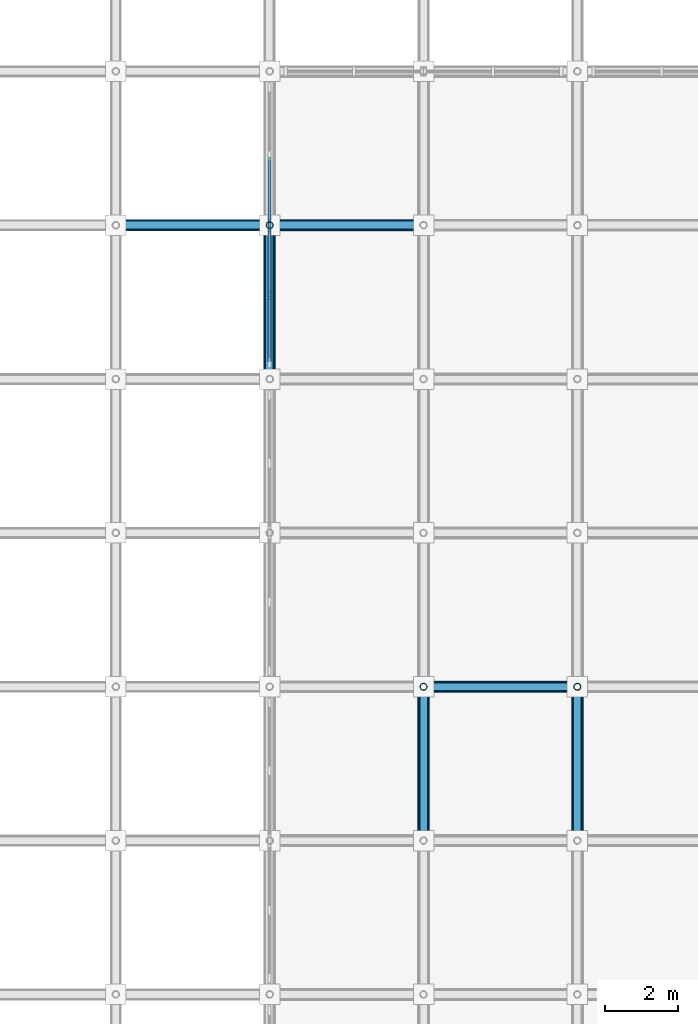
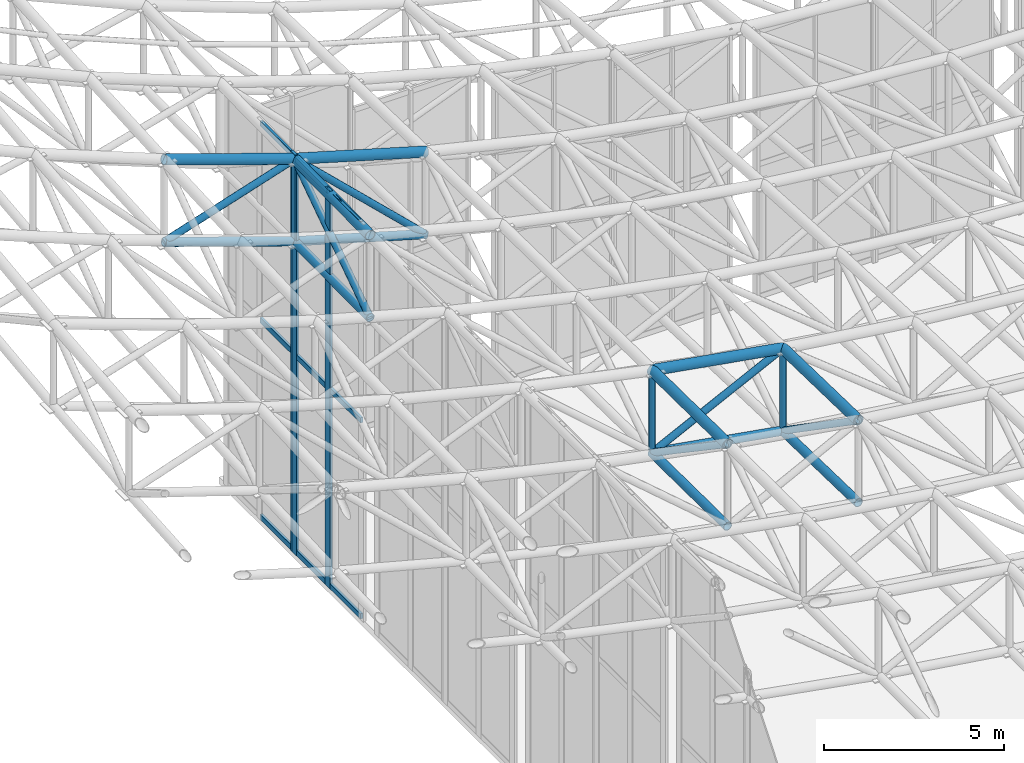
# One storey, part 28 of 93: 33 members, 2 elements without a shape of their own.
"""IFC4 building model written with IfcOpenShell, lengths in metres."""

from ifc_helpers import new_model, si_unit, direction, frame, origin, origin_2d, place, context, subcontext, project, spatial, rectangle, hollow_circle, extrude, material, material_profile, profile_set, type_object, element, aggregate, save


model = new_model("IFC4")

# Units and contexts
model_context = context("Model", 3, precision=1e-05, world=origin(), true_north=direction((0.0, 1.0)))
body_context = subcontext(model_context, "Body", "Model", "MODEL_VIEW")
ifc_project = project(units=[si_unit("LENGTHUNIT", "METRE"), si_unit("AREAUNIT", "SQUARE_METRE"), si_unit("VOLUMEUNIT", "CUBIC_METRE"), si_unit("PLANEANGLEUNIT", "RADIAN"), si_unit("MASSUNIT", "GRAM", prefix="KILO")], contexts=[model_context])

# Site, building, storey
site_placement = place(None, origin())
site = spatial("IfcSite", under=ifc_project, at=site_placement, CompositionType="ELEMENT")
building_placement = place(site_placement, origin())
building = spatial("IfcBuilding", under=site, at=building_placement, Name="Cumbredor Promenade Congress Hotel", CompositionType="ELEMENT")
storey_placement = place(building_placement, frame((0.0, 0.0, 21.840087890625)))
storey = spatial("IfcBuildingStorey", under=building, at=storey_placement, Name="L06", CompositionType="ELEMENT", Elevation=21.840087890625)

# Curtain wall, members
ifc_material_1 = material(Name="Thermally broken anodized aluminium and low-E glass", Category="aluminium")
curtain_wall_type = type_object("IfcCurtainWallType", Name="Stepped Pavilion Clerestory Curtain Wall CW-06", PredefinedType="NOTDEFINED", material=ifc_material_1)
curtain_wall_1_placement = place(storey_placement, origin())
curtain_wall_1 = element("IfcCurtainWall", 1, at=curtain_wall_1_placement, inside=storey, type_object=curtain_wall_type, Name="Plenary Congress Hall W Glazed Clerestory 13", PredefinedType="NOTDEFINED")
ifc_material_2 = material(Name="Thermally broken anodized aluminium", Category="aluminium")
ifc_material_profile_1 = material_profile(ifc_material_2, rectangle(XDim=0.0849609375, YDim=0.260009765625, at=origin_2d()), Name="ALU MULLION CLERESTORY 85x260")
ifc_profile_set_1 = profile_set([ifc_material_profile_1], Name="Thermally broken anodized aluminium")
member_type_1 = type_object("IfcMemberType", Name="Curtain Wall Mullion ML-04", PredefinedType="MULLION", material=ifc_profile_set_1)
member_1_placement = place(storey_placement, frame((8.39990234375, 61.10009765625, -0.01806640625), z_axis=(0.0, 0.0, 1.0), x_axis=(1.0, 0.0, 0.0)))
member_1 = element("IfcMember", 2, at=member_1_placement, type_object=member_type_1, Name="Plenary Congress Hall W Glazed Clerestory 13 Mullion 2", PredefinedType="MULLION", context=body_context, shape_type="SweptSolid", body=[
    extrude(rectangle(XDim=0.0849609375, YDim=0.260009765625, at=origin_2d()), origin(), (0.0, 0.0, 1.0), 13.506103515625),
])
member_2_placement = place(storey_placement, frame((8.39990234375, 62.9599609375, -0.01806640625), z_axis=(0.0, 0.0, 1.0), x_axis=(1.0, 0.0, 0.0)))
member_2 = element("IfcMember", 3, at=member_2_placement, type_object=member_type_1, Name="Plenary Congress Hall W Glazed Clerestory 13 Mullion 3", PredefinedType="MULLION", context=body_context, shape_type="SweptSolid", body=[
    extrude(rectangle(XDim=0.0849609375, YDim=0.260009765625, at=origin_2d()), origin(), (0.0, 0.0, 1.0), 13.506103515625),
])

# Curtain wall, member
curtain_wall_2_placement = place(storey_placement, origin())
curtain_wall_2 = element("IfcCurtainWall", 4, at=curtain_wall_2_placement, inside=storey, type_object=curtain_wall_type, Name="Plenary Congress Hall W Glazed Clerestory 14", PredefinedType="NOTDEFINED")
member_3_placement = place(storey_placement, frame((8.39990234375, 63.0400390625, -0.01806640625), z_axis=(0.0, 0.0, 1.0), x_axis=(1.0, 0.0, 0.0)))
member_3 = element("IfcMember", 5, at=member_3_placement, type_object=member_type_1, Name="Plenary Congress Hall W Glazed Clerestory 14 Mullion 1", PredefinedType="MULLION", context=body_context, shape_type="SweptSolid", body=[
    extrude(rectangle(XDim=0.0849609375, YDim=0.260009765625, at=origin_2d()), origin(), (0.0, 0.0, 1.0), 13.553955078125),
])

# Member
ifc_material_profile_2 = material_profile(ifc_material_2, rectangle(XDim=0.080078125, YDim=0.179931640625, at=origin_2d()), Name="ALU TRANSOM 80x180")
ifc_profile_set_2 = profile_set([ifc_material_profile_2], Name="Thermally broken anodized aluminium")
member_type_2 = type_object("IfcMemberType", Name="Curtain Wall Transom TR-03", PredefinedType="USERDEFINED", material=ifc_profile_set_2)
member_4_placement = place(storey_placement, frame((8.39990234375, 59.282470703125, 0.079833984375), z_axis=(0.0, 1.0, 0.0), x_axis=(-1.0, 0.0, 0.0)))
member_4 = element("IfcMember", 6, at=member_4_placement, type_object=member_type_2, Name="Plenary Congress Hall W Glazed Clerestory 13 Transom 1.1", ObjectType="TRANSOM", PredefinedType="USERDEFINED", context=body_context, shape_type="SweptSolid", body=[
    extrude(rectangle(XDim=0.080078125, YDim=0.179931640625, at=origin_2d()), origin(), (0.0, 0.0, 1.0), 1.775146484375),
])

member_5_placement = place(storey_placement, frame((8.39990234375, 59.282470703125, 6.72998046875), z_axis=(0.0, 1.0, 0.0), x_axis=(-1.0, 0.0, 0.0)))
member_5 = element("IfcMember", 7, at=member_5_placement, type_object=member_type_2, Name="Plenary Congress Hall W Glazed Clerestory 13 Transom 1.2", ObjectType="TRANSOM", PredefinedType="USERDEFINED", context=body_context, shape_type="SweptSolid", body=[
    extrude(rectangle(XDim=0.080078125, YDim=0.179931640625, at=origin_2d()), origin(), (0.0, 0.0, 1.0), 1.775146484375),
])

member_6_placement = place(storey_placement, frame((8.39990234375, 59.282470703125, 13.389892578125), z_axis=(0.0, 1.0, 0.0), x_axis=(-1.0, 0.0, 0.0)))
member_6 = element("IfcMember", 8, at=member_6_placement, type_object=member_type_2, Name="Plenary Congress Hall W Glazed Clerestory 13 Transom 1.3", ObjectType="TRANSOM", PredefinedType="USERDEFINED", context=body_context, shape_type="SweptSolid", body=[
    extrude(rectangle(XDim=0.080078125, YDim=0.179931640625, at=origin_2d()), origin(), (0.0, 0.0, 1.0), 1.775146484375),
])

member_7_placement = place(storey_placement, frame((8.39990234375, 61.142578125, 0.079833984375), z_axis=(0.0, 1.0, 0.0), x_axis=(-1.0, 0.0, 0.0)))
member_7 = element("IfcMember", 9, at=member_7_placement, type_object=member_type_2, Name="Plenary Congress Hall W Glazed Clerestory 13 Transom 2.1", ObjectType="TRANSOM", PredefinedType="USERDEFINED", context=body_context, shape_type="SweptSolid", body=[
    extrude(rectangle(XDim=0.080078125, YDim=0.179931640625, at=origin_2d()), origin(), (0.0, 0.0, 1.0), 1.77490234375),
])

member_8_placement = place(storey_placement, frame((8.39990234375, 61.142578125, 6.72998046875), z_axis=(0.0, 1.0, 0.0), x_axis=(-1.0, 0.0, 0.0)))
member_8 = element("IfcMember", 10, at=member_8_placement, type_object=member_type_2, Name="Plenary Congress Hall W Glazed Clerestory 13 Transom 2.2", ObjectType="TRANSOM", PredefinedType="USERDEFINED", context=body_context, shape_type="SweptSolid", body=[
    extrude(rectangle(XDim=0.080078125, YDim=0.179931640625, at=origin_2d()), origin(), (0.0, 0.0, 1.0), 1.77490234375),
])

member_9_placement = place(storey_placement, frame((8.39990234375, 61.142578125, 13.389892578125), z_axis=(0.0, 1.0, 0.0), x_axis=(-1.0, 0.0, 0.0)))
member_9 = element("IfcMember", 11, at=member_9_placement, type_object=member_type_2, Name="Plenary Congress Hall W Glazed Clerestory 13 Transom 2.3", ObjectType="TRANSOM", PredefinedType="USERDEFINED", context=body_context, shape_type="SweptSolid", body=[
    extrude(rectangle(XDim=0.080078125, YDim=0.179931640625, at=origin_2d()), origin(), (0.0, 0.0, 1.0), 1.77490234375),
])

aggregate(curtain_wall_1, [member_1, member_2, member_4, member_5, member_6, member_7, member_8, member_9])

member_10_placement = place(storey_placement, frame((8.39990234375, 63.08251953125, 0.079833984375), z_axis=(0.0, 1.0, 0.0), x_axis=(-1.0, 0.0, 0.0)))
member_10 = element("IfcMember", 12, at=member_10_placement, type_object=member_type_2, Name="Plenary Congress Hall W Glazed Clerestory 14 Transom 1.1", ObjectType="TRANSOM", PredefinedType="USERDEFINED", context=body_context, shape_type="SweptSolid", body=[
    extrude(rectangle(XDim=0.080078125, YDim=0.179931640625, at=origin_2d()), origin(), (0.0, 0.0, 1.0), 1.77490234375),
])

member_11_placement = place(storey_placement, frame((8.39990234375, 63.08251953125, 6.760009765625), z_axis=(0.0, 1.0, 0.0), x_axis=(-1.0, 0.0, 0.0)))
member_11 = element("IfcMember", 13, at=member_11_placement, type_object=member_type_2, Name="Plenary Congress Hall W Glazed Clerestory 14 Transom 1.2", ObjectType="TRANSOM", PredefinedType="USERDEFINED", context=body_context, shape_type="SweptSolid", body=[
    extrude(rectangle(XDim=0.080078125, YDim=0.179931640625, at=origin_2d()), origin(), (0.0, 0.0, 1.0), 1.77490234375),
])

member_12_placement = place(storey_placement, frame((8.39990234375, 63.08251953125, 13.43994140625), z_axis=(0.0, 1.0, 0.0), x_axis=(-1.0, 0.0, 0.0)))
member_12 = element("IfcMember", 14, at=member_12_placement, type_object=member_type_2, Name="Plenary Congress Hall W Glazed Clerestory 14 Transom 1.3", ObjectType="TRANSOM", PredefinedType="USERDEFINED", context=body_context, shape_type="SweptSolid", body=[
    extrude(rectangle(XDim=0.080078125, YDim=0.179931640625, at=origin_2d()), origin(), (0.0, 0.0, 1.0), 1.77490234375),
])

aggregate(curtain_wall_2, [member_3, member_10, member_11, member_12])

# Members
ifc_material_3 = material(Name="Steel ASTM A500 Grade C", Category="steel")
ifc_material_profile_3 = material_profile(ifc_material_3, hollow_circle(Radius=0.136474609375, WallThickness=0.01611328125, at=origin_2d()), Name="CHS 273.0x16")
ifc_profile_set_3 = profile_set([ifc_material_profile_3], Name="Steel ASTM A500 Grade C")
member_type_3 = type_object("IfcMemberType", Name="Plenary Roof Space Frame Bottom Chord", PredefinedType="CHORD", material=ifc_profile_set_3)
member_13_placement = place(storey_placement, frame((12.60009765625, 50.39990234375, 9.54296875), z_axis=(0.98547003637, 0.0, -0.169849366845), x_axis=(0.0, 1.0, 0.0)))
element("IfcMember", 15, at=member_13_placement, inside=storey, type_object=member_type_3, Name="Plenary Congress Hall X Bottom Chord 5.13", PredefinedType="CHORD", context=body_context, shape_type="SweptSolid", body=[
    extrude(hollow_circle(Radius=0.136474609375, WallThickness=0.01611328125, at=origin_2d()), origin(), (0.0, 0.0, 1.0), 4.261962890625),
])
member_14_placement = place(storey_placement, frame((4.199951171875, 63.0, 11.996826171875), z_axis=(0.945323333671, 0.0, -0.326134626829), x_axis=(0.0, 1.0, 0.0)))
element("IfcMember", 16, at=member_14_placement, inside=storey, type_object=member_type_3, Name="Plenary Congress Hall X Bottom Chord 3.16", PredefinedType="CHORD", context=body_context, shape_type="SweptSolid", body=[
    extrude(hollow_circle(Radius=0.136474609375, WallThickness=0.01611328125, at=origin_2d()), origin(), (0.0, 0.0, 1.0), 4.44287109375),
])
member_15_placement = place(storey_placement, frame((8.39990234375, 63.0, 10.5478515625), z_axis=(0.959922473099, 0.0, -0.28026566975), x_axis=(0.0, 1.0, 0.0)))
element("IfcMember", 17, at=member_15_placement, inside=storey, type_object=member_type_3, Name="Plenary Congress Hall X Bottom Chord 4.16", PredefinedType="CHORD", context=body_context, shape_type="SweptSolid", body=[
    extrude(hollow_circle(Radius=0.136474609375, WallThickness=0.01611328125, at=origin_2d()), origin(), (0.0, 0.0, 1.0), 4.37548828125),
])
for number, where, z_axis, x_axis, name in (
    (18, (8.39990234375, 58.800048828125, 10.5), (0.0, 0.999935101974, 0.011392622216), (-1.0, 0.0, 0.0), "Plenary Congress Hall Y Bottom Chord 4.15"),
    (19, (12.60009765625, 46.199951171875, 9.58740234375), (0.0, 0.999944041257, -0.01057895806), (-1.0, 0.0, 0.0), "Plenary Congress Hall Y Bottom Chord 5.12"),
):
    element("IfcMember", number, at=place(storey_placement, frame(where, z_axis=z_axis, x_axis=x_axis)), inside=storey, type_object=member_type_3, Name=name, PredefinedType="CHORD", context=body_context, shape_type="SweptSolid", body=[
        extrude(hollow_circle(Radius=0.136474609375, WallThickness=0.01611328125, at=origin_2d()), origin(), (0.0, 0.0, 1.0), 4.2001953125),
    ])
member_16_placement = place(storey_placement, frame((16.800048828125, 46.199951171875, 8.919189453125), z_axis=(0.0, 0.99971611374, -0.023826286498), x_axis=(-1.0, 0.0, 0.0)))
element("IfcMember", 20, at=member_16_placement, inside=storey, type_object=member_type_3, Name="Plenary Congress Hall Y Bottom Chord 6.12", PredefinedType="CHORD", context=body_context, shape_type="SweptSolid", body=[
    extrude(hollow_circle(Radius=0.136474609375, WallThickness=0.01611328125, at=origin_2d()), origin(), (0.0, 0.0, 1.0), 4.201171875),
])
ifc_material_profile_4 = material_profile(ifc_material_3, hollow_circle(Radius=0.161865234375, WallThickness=0.01611328125, at=origin_2d()), Name="CHS 323.9x16")
ifc_profile_set_4 = profile_set([ifc_material_profile_4], Name="Steel ASTM A500 Grade C")
member_type_4 = type_object("IfcMemberType", Name="Plenary Roof Space Frame Top Chord", PredefinedType="CHORD", material=ifc_profile_set_4)
member_17_placement = place(storey_placement, frame((12.60009765625, 50.39990234375, 12.343017578125), z_axis=(0.98547003637, 0.0, -0.169849366845), x_axis=(0.0, 1.0, 0.0)))
element("IfcMember", 21, at=member_17_placement, inside=storey, type_object=member_type_4, Name="Plenary Congress Hall X Top Chord 5.13", PredefinedType="CHORD", context=body_context, shape_type="SweptSolid", body=[
    extrude(hollow_circle(Radius=0.161865234375, WallThickness=0.01611328125, at=origin_2d()), origin(), (0.0, 0.0, 1.0), 4.261962890625),
])
member_18_placement = place(storey_placement, frame((4.199951171875, 63.0, 14.796875), z_axis=(0.945323333671, 0.0, -0.326134626829), x_axis=(0.0, 1.0, 0.0)))
element("IfcMember", 22, at=member_18_placement, inside=storey, type_object=member_type_4, Name="Plenary Congress Hall X Top Chord 3.16", PredefinedType="CHORD", context=body_context, shape_type="SweptSolid", body=[
    extrude(hollow_circle(Radius=0.161865234375, WallThickness=0.01611328125, at=origin_2d()), origin(), (0.0, 0.0, 1.0), 4.44287109375),
])
member_19_placement = place(storey_placement, frame((8.39990234375, 63.0, 13.347900390625), z_axis=(0.959922473099, 0.0, -0.28026566975), x_axis=(0.0, 1.0, 0.0)))
element("IfcMember", 23, at=member_19_placement, inside=storey, type_object=member_type_4, Name="Plenary Congress Hall X Top Chord 4.16", PredefinedType="CHORD", context=body_context, shape_type="SweptSolid", body=[
    extrude(hollow_circle(Radius=0.161865234375, WallThickness=0.01611328125, at=origin_2d()), origin(), (0.0, 0.0, 1.0), 4.37548828125),
])
for number, where, z_axis, x_axis, name in (
    (24, (8.39990234375, 58.800048828125, 13.300048828125), (0.0, 0.999935101974, 0.011392622216), (-1.0, 0.0, 0.0), "Plenary Congress Hall Y Top Chord 4.15"),
    (25, (12.60009765625, 46.199951171875, 12.38720703125), (0.0, 0.999944654448, -0.010520838369), (-1.0, 0.0, 0.0), "Plenary Congress Hall Y Top Chord 5.12"),
):
    element("IfcMember", number, at=place(storey_placement, frame(where, z_axis=z_axis, x_axis=x_axis)), inside=storey, type_object=member_type_4, Name=name, PredefinedType="CHORD", context=body_context, shape_type="SweptSolid", body=[
        extrude(hollow_circle(Radius=0.161865234375, WallThickness=0.01611328125, at=origin_2d()), origin(), (0.0, 0.0, 1.0), 4.2001953125),
    ])
member_20_placement = place(storey_placement, frame((16.800048828125, 46.199951171875, 11.718994140625), z_axis=(0.0, 0.999717496276, -0.023768206474), x_axis=(-1.0, 0.0, 0.0)))
element("IfcMember", 26, at=member_20_placement, inside=storey, type_object=member_type_4, Name="Plenary Congress Hall Y Top Chord 6.12", PredefinedType="CHORD", context=body_context, shape_type="SweptSolid", body=[
    extrude(hollow_circle(Radius=0.161865234375, WallThickness=0.01611328125, at=origin_2d()), origin(), (0.0, 0.0, 1.0), 4.201171875),
])
ifc_material_profile_5 = material_profile(ifc_material_3, hollow_circle(Radius=0.109619140625, WallThickness=0.012451171875, at=origin_2d()), Name="CHS 219.1x12.5")
ifc_profile_set_5 = profile_set([ifc_material_profile_5], Name="Steel ASTM A500 Grade C")
member_type_5 = type_object("IfcMemberType", Name="Space Frame Web Diagonal D1", PredefinedType="BRACE", material=ifc_profile_set_5)
member_21_placement = place(storey_placement, frame((12.60009765625, 50.39990234375, 9.54296875), z_axis=(0.896450249851, 0.0, 0.443144389045), x_axis=(0.0, 1.0, 0.0)))
element("IfcMember", 27, at=member_21_placement, inside=storey, type_object=member_type_5, Name="Plenary Congress Hall X Web Diagonal 5.13", PredefinedType="BRACE", context=body_context, shape_type="SweptSolid", body=[
    extrude(hollow_circle(Radius=0.109619140625, WallThickness=0.012451171875, at=origin_2d()), origin(), (0.0, 0.0, 1.0), 4.68505859375),
])
member_22_placement = place(storey_placement, frame((4.199951171875, 63.0, 11.996826171875), z_axis=(0.951956565311, 0.0, 0.306233077511), x_axis=(0.0, 1.0, 0.0)))
element("IfcMember", 28, at=member_22_placement, inside=storey, type_object=member_type_5, Name="Plenary Congress Hall X Web Diagonal 3.16", PredefinedType="BRACE", context=body_context, shape_type="SweptSolid", body=[
    extrude(hollow_circle(Radius=0.109619140625, WallThickness=0.012451171875, at=origin_2d()), origin(), (0.0, 0.0, 1.0), 4.411865234375),
])
member_23_placement = place(storey_placement, frame((8.39990234375, 63.0, 13.347900390625), z_axis=(0.721886884821, 0.0, -0.692011073266), x_axis=(0.0, 1.0, 0.0)))
element("IfcMember", 29, at=member_23_placement, inside=storey, type_object=member_type_5, Name="Plenary Congress Hall X Web Diagonal 4.16", PredefinedType="BRACE", context=body_context, shape_type="SweptSolid", body=[
    extrude(hollow_circle(Radius=0.109619140625, WallThickness=0.012451171875, at=origin_2d()), origin(), (0.0, 0.0, 1.0), 5.818359375),
])
member_24_placement = place(storey_placement, frame((8.39990234375, 58.800048828125, 10.5), z_axis=(0.0, 0.827664938606, 0.561222548907), x_axis=(-1.0, 0.0, 0.0)))
element("IfcMember", 30, at=member_24_placement, inside=storey, type_object=member_type_5, Name="Plenary Congress Hall Y Web Diagonal 4.15", PredefinedType="BRACE", context=body_context, shape_type="SweptSolid", body=[
    extrude(hollow_circle(Radius=0.109619140625, WallThickness=0.012451171875, at=origin_2d()), origin(), (0.0, 0.0, 1.0), 5.074462890625),
])
member_25_placement = place(storey_placement, frame((12.60009765625, 46.199951171875, 12.38720703125), z_axis=(0.0, 0.828000147671, -0.560727880042), x_axis=(-1.0, 0.0, 0.0)))
element("IfcMember", 31, at=member_25_placement, inside=storey, type_object=member_type_5, Name="Plenary Congress Hall Y Web Diagonal 5.12", PredefinedType="BRACE", context=body_context, shape_type="SweptSolid", body=[
    extrude(hollow_circle(Radius=0.109619140625, WallThickness=0.012451171875, at=origin_2d()), origin(), (0.0, 0.0, 1.0), 5.072509765625),
])
member_26_placement = place(storey_placement, frame((16.800048828125, 46.199951171875, 11.718994140625), z_axis=(0.0, 0.822902758261, -0.568182233484), x_axis=(-1.0, 0.0, 0.0)))
element("IfcMember", 32, at=member_26_placement, inside=storey, type_object=member_type_5, Name="Plenary Congress Hall Y Web Diagonal 6.12", PredefinedType="BRACE", context=body_context, shape_type="SweptSolid", body=[
    extrude(hollow_circle(Radius=0.109619140625, WallThickness=0.012451171875, at=origin_2d()), origin(), (0.0, 0.0, 1.0), 5.103759765625),
])
ifc_material_profile_6 = material_profile(ifc_material_3, hollow_circle(Radius=0.096923828125, WallThickness=0.010009765625, at=origin_2d()), Name="CHS 193.7x10")
ifc_profile_set_6 = profile_set([ifc_material_profile_6], Name="Steel ASTM A500 Grade C")
member_type_6 = type_object("IfcMemberType", Name="Space Frame Web Post P1", PredefinedType="BRACE", material=ifc_profile_set_6)
for number, where, z_axis, x_axis, name in (
    (33, (8.39990234375, 63.0, 10.5478515625), (0.0, 0.0, 1.0), (1.0, 0.0, 0.0), "Plenary Congress Hall Space Frame Web Post 4.16"),
    (34, (12.60009765625, 50.39990234375, 9.54296875), (0.0, 0.0, 1.0), (1.0, 0.0, 0.0), "Plenary Congress Hall Space Frame Web Post 5.13"),
    (35, (16.800048828125, 50.39990234375, 8.819091796875), (0.0, 0.0, 1.0), (1.0, 0.0, 0.0), "Plenary Congress Hall Space Frame Web Post 6.13"),
):
    element("IfcMember", number, at=place(storey_placement, frame(where, z_axis=z_axis, x_axis=x_axis)), inside=storey, type_object=member_type_6, Name=name, PredefinedType="BRACE", context=body_context, shape_type="SweptSolid", body=[
        extrude(hollow_circle(Radius=0.096923828125, WallThickness=0.010009765625, at=origin_2d()), origin(), (0.0, 0.0, 1.0), 2.800048828125),
    ])

save(model, "model.ifc")
